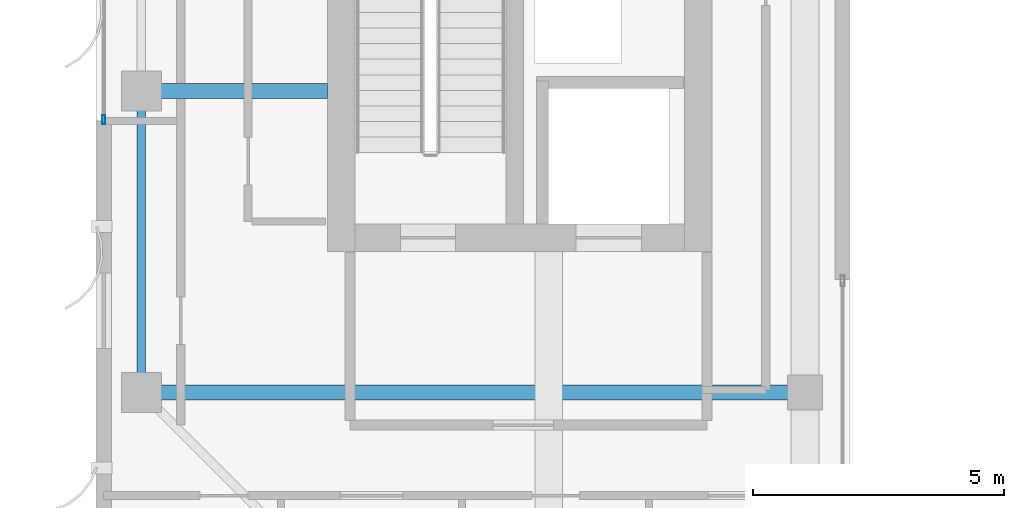
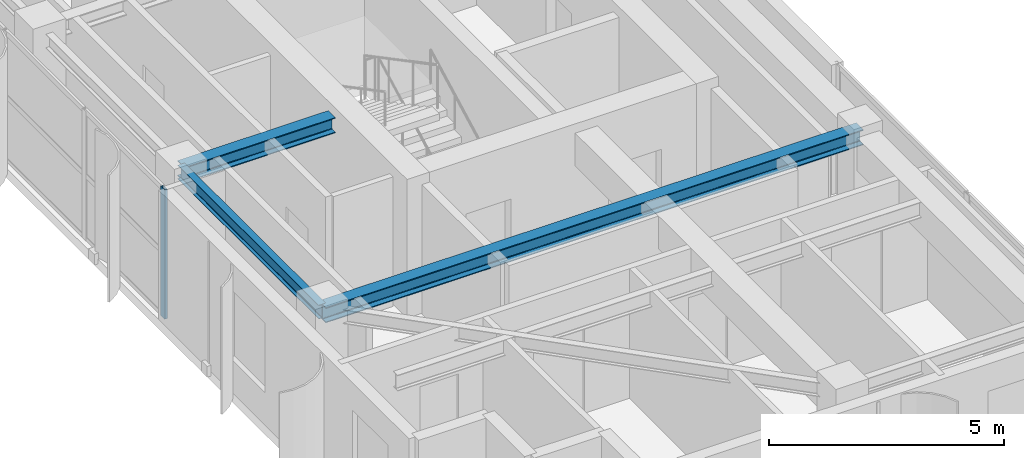
# One storey, part 3 of 24: 3 beams, 1 member, 1 element without a shape of its own.
"""IFC4 building model written with IfcOpenShell, lengths in metres."""

from ifc_helpers import new_model, si_unit, direction, frame, origin, origin_2d, place, context, subcontext, project, spatial, hollow_rectangle, i_section, extrude, source, transform, mapped, material, layer, layer_set, material_profile, profile_set, type_object, element, aggregate, save


model = new_model("IFC4")

# Units and contexts
model_context = context("Model", 3, precision=1e-05, world=origin(), true_north=direction((0.0, 1.0)))
body_context = subcontext(model_context, "Body", "Model", "MODEL_VIEW")
ifc_project = project(units=[si_unit("LENGTHUNIT", "METRE"), si_unit("AREAUNIT", "SQUARE_METRE"), si_unit("VOLUMEUNIT", "CUBIC_METRE"), si_unit("PLANEANGLEUNIT", "RADIAN"), si_unit("MASSUNIT", "GRAM", prefix="KILO")], contexts=[model_context])

# Site, building, storey
site_placement = place(None, origin())
site = spatial("IfcSite", under=ifc_project, at=site_placement, CompositionType="ELEMENT")
building_placement = place(site_placement, origin())
building = spatial("IfcBuilding", under=site, at=building_placement, Name="Khoralis Quay Care Tower", CompositionType="ELEMENT")
storey_placement = place(building_placement, frame((0.0, 0.0, 249.300048828125)))
storey = spatial("IfcBuildingStorey", under=building, at=storey_placement, Name="L65", CompositionType="ELEMENT", Elevation=249.300048828125)

# Beams
ifc_material_1 = material(Name="Steel S355", Category="steel")
ifc_material_profile_1 = material_profile(ifc_material_1, i_section(OverallWidth=0.169921875, OverallDepth=0.360107421875, WebThickness=0.008056640625, FlangeThickness=0.0126953125, FilletRadius=0.01806640625, at=origin_2d()), Name="Steel S355")
ifc_profile_set_1 = profile_set([ifc_material_profile_1], Name="Steel S355")
beam_type_1 = type_object("IfcBeamType", Name="BM-IPE360", PredefinedType="SPANDREL", material=ifc_profile_set_1)
shared_shape_1 = source(origin(), body_context, "Body", "SweptSolid", [
    extrude(i_section(OverallWidth=0.169921875, OverallDepth=0.360107421875, WebThickness=0.008056640625, FlangeThickness=0.0126953125, FilletRadius=0.01806640625, at=origin_2d()), origin(), (0.0, 0.0, 1.0), 6.0),
])
beam_1_placement = place(storey_placement, frame((3.89990234375, 12.0, 3.179931640625), z_axis=(0.0, 1.0, 0.0), x_axis=(-1.0, 0.0, 0.0)))
element("IfcBeam", 1, at=beam_1_placement, inside=storey, type_object=beam_type_1, Name="BM-TSP-L65-05", PredefinedType="SPANDREL", context=body_context, shape_type="MappedRepresentation", body=[
    mapped(shared_shape_1, transform((0.0, 0.0, 0.0), scale=1.0)),
])
ifc_material_profile_2 = material_profile(ifc_material_1, i_section(OverallWidth=0.300048828125, OverallDepth=0.39990234375, WebThickness=0.013427734375, FlangeThickness=0.02392578125, FilletRadius=0.027099609375, at=origin_2d()), Name="Steel S355")
ifc_profile_set_2 = profile_set([ifc_material_profile_2], Name="Steel S355")
beam_type_2 = type_object("IfcBeamType", Name="BM-HEB400", PredefinedType="BEAM", material=ifc_profile_set_2)
shared_shape_2 = source(origin(), body_context, "Body", "SweptSolid", [
    extrude(i_section(OverallWidth=0.300048828125, OverallDepth=0.39990234375, WebThickness=0.013427734375, FlangeThickness=0.02392578125, FilletRadius=0.027099609375, at=origin_2d()), origin(), (0.0, 0.0, 1.0), 13.2001953125),
])
beam_2_placement = place(storey_placement, frame((3.89990234375, 12.0, 3.159912109375), z_axis=(1.0, 0.0, 0.0), x_axis=(0.0, 1.0, 0.0)))
element("IfcBeam", 2, at=beam_2_placement, inside=storey, type_object=beam_type_2, Name="BM-TGXW-L65-120", PredefinedType="BEAM", context=body_context, shape_type="MappedRepresentation", body=[
    mapped(shared_shape_2, transform((0.0, 0.0, 0.0), scale=1.0)),
])
shared_shape_3 = source(origin(), body_context, "Body", "SweptSolid", [
    extrude(i_section(OverallWidth=0.300048828125, OverallDepth=0.39990234375, WebThickness=0.013427734375, FlangeThickness=0.02392578125, FilletRadius=0.027099609375, at=origin_2d()), origin(), (0.0, 0.0, 1.0), 3.7021484375),
])
beam_3_placement = place(storey_placement, frame((3.89990234375, 18.0, 3.159912109375), z_axis=(1.0, 0.0, 0.0), x_axis=(0.0, 1.0, 0.0)))
element("IfcBeam", 3, at=beam_3_placement, inside=storey, type_object=beam_type_2, Name="BM-TGXW-L65-180", PredefinedType="BEAM", context=body_context, shape_type="MappedRepresentation", body=[
    mapped(shared_shape_3, transform((0.0, 0.0, 0.0), scale=1.0)),
])

# Curtain wall, member
ifc_material_2 = material(Name="Pale anodised aluminium", Category="aluminium")
ifc_layer = layer(ifc_material_2, 0.159912109375)
ifc_layer_set = layer_set([ifc_layer], Name="Pale anodised aluminium")
curtain_wall_type = type_object("IfcCurtainWallType", Name="CW-SYS-Z3", PredefinedType="NOTDEFINED", material=ifc_layer_set)
curtain_wall_placement = place(storey_placement, origin())
curtain_wall = element("IfcCurtainWall", 4, at=curtain_wall_placement, inside=storey, type_object=curtain_wall_type, Name="L65 Unitised Curtain Wall CW-L65-P1-E7", PredefinedType="NOTDEFINED")
ifc_material_profile_3 = material_profile(ifc_material_2, hollow_rectangle(XDim=0.06494140625, YDim=0.179931640625, WallThickness=0.00390625, at=origin_2d()), Name="Pale anodised aluminium")
ifc_profile_set_3 = profile_set([ifc_material_profile_3], Name="Pale anodised aluminium")
member_type = type_object("IfcMemberType", Name="CW-MUL-180", PredefinedType="MULLION", material=ifc_profile_set_3)
shared_shape_4 = source(origin(), body_context, "Body", "SweptSolid", [
    extrude(hollow_rectangle(XDim=0.06494140625, YDim=0.179931640625, WallThickness=0.00390625, at=origin_2d()), origin(), (0.0, 0.0, 1.0), 3.35986328125),
])
member_placement = place(storey_placement, frame((3.14990234375, 17.429931640625, 0.0), z_axis=(0.0, 0.0, 1.0), x_axis=(1.0, 0.0, 0.0)))
member = element("IfcMember", 5, at=member_placement, type_object=member_type, Name="CW3 mullion 4", PredefinedType="MULLION", context=body_context, shape_type="MappedRepresentation", body=[
    mapped(shared_shape_4, transform((0.0, 0.0, 0.0), scale=1.0)),
])
aggregate(curtain_wall, [member])

save(model, "model.ifc")
